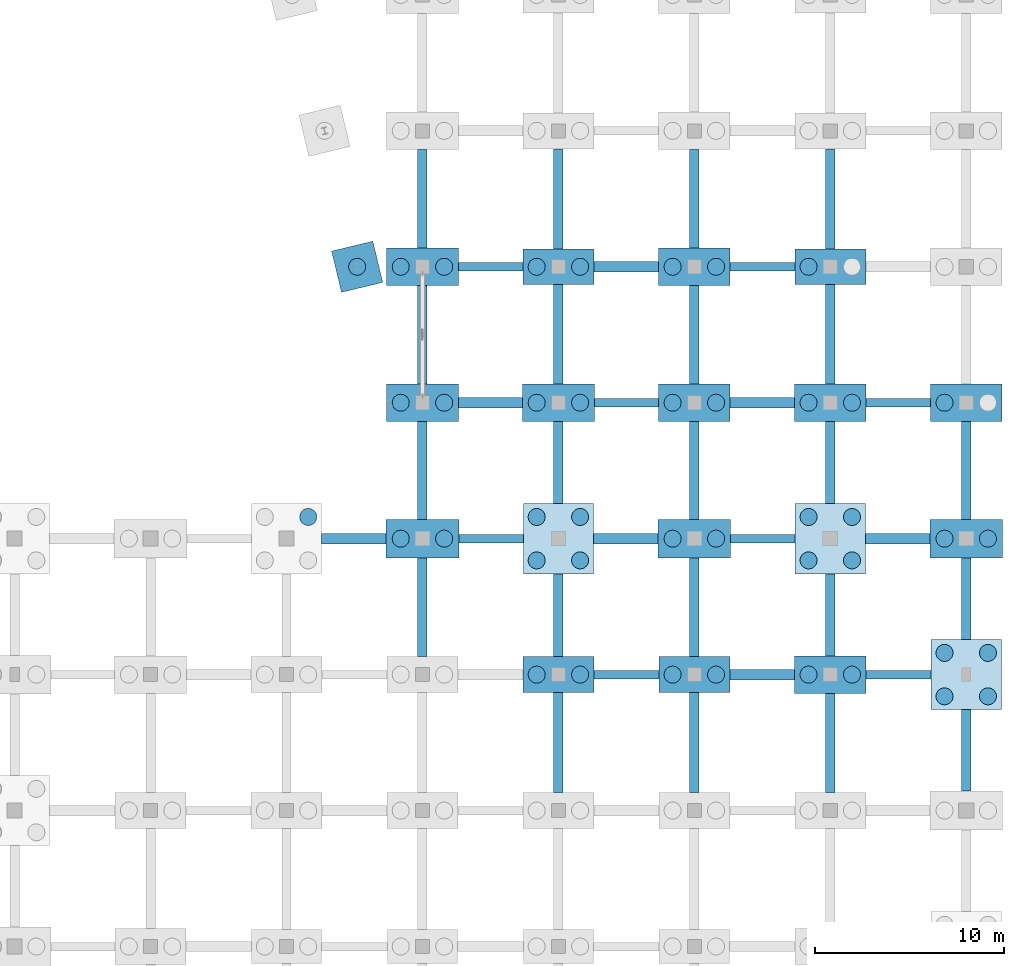
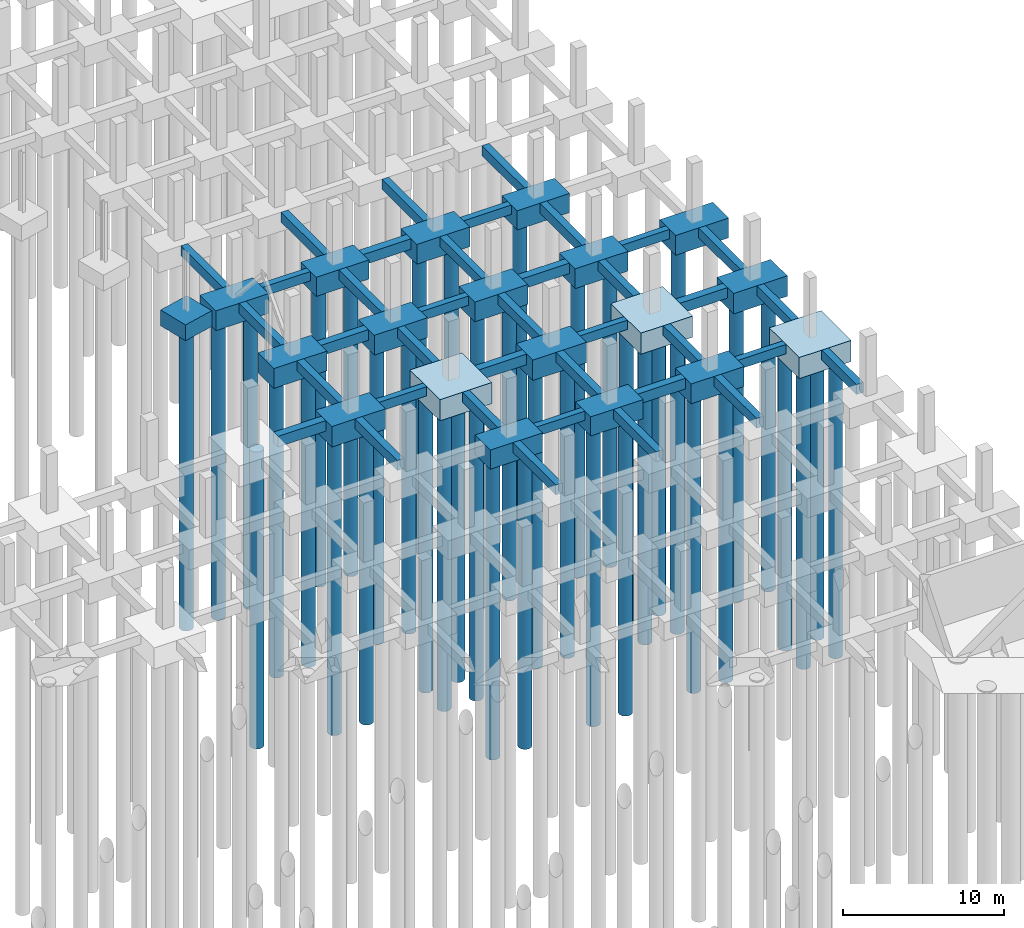
# One storey, part 12 of 36: 56 footings, 42 piles.
"""IFC4 building model written with IfcOpenShell, lengths in metres."""

from ifc_helpers import new_model, si_unit, direction, frame, origin, origin_2d, place, context, subcontext, project, spatial, rectangle, circle, extrude, material, material_profile, profile_set, type_object, element, save


model = new_model("IFC4")

# Units and contexts
model_context = context("Model", 3, precision=1e-05, world=origin(), true_north=direction((0.0, 1.0)))
body_context = subcontext(model_context, "Body", "Model", "MODEL_VIEW")
ifc_project = project(units=[si_unit("LENGTHUNIT", "METRE"), si_unit("AREAUNIT", "SQUARE_METRE"), si_unit("VOLUMEUNIT", "CUBIC_METRE"), si_unit("PLANEANGLEUNIT", "RADIAN"), si_unit("MASSUNIT", "GRAM", prefix="KILO")], contexts=[model_context])

# Site, building, storey
site_placement = place(None, origin())
site = spatial("IfcSite", under=ifc_project, at=site_placement, CompositionType="ELEMENT")
building_placement = place(site_placement, origin())
building = spatial("IfcBuilding", under=site, at=building_placement, Name="Kalmorath City Hall", CompositionType="ELEMENT")
storey_placement = place(building_placement, frame((0.0, 0.0, -4.5)))
storey = spatial("IfcBuildingStorey", under=building, at=storey_placement, Name="B1", CompositionType="ELEMENT", Elevation=-4.5)

# Piles
ifc_material_1 = material(Name="Concrete C40/50", Category="concrete")
ifc_material_profile_1 = material_profile(ifc_material_1, circle(Radius=0.449951171875, at=origin_2d()), Name="PILE-D900")
ifc_profile_set_1 = profile_set([ifc_material_profile_1], Name="Concrete C40/50")
pile_type = type_object("IfcPileType", Name="Bored concrete pile D900", PredefinedType="BORED", material=ifc_profile_set_1)
pile_1_placement = place(storey_placement, frame((130.75, 44.35009765625, -1.5), z_axis=(0.0, 0.0, -1.0), x_axis=(1.0, 0.0, 0.0)))
element("IfcPile", 1, at=pile_1_placement, inside=storey, type_object=pile_type, Name="Bored pile PL-900 19.7.4", PredefinedType="BORED", context=body_context, shape_type="SweptSolid", body=[
    extrude(circle(Radius=0.449951171875, at=origin_2d()), origin(), (0.0, 0.0, 1.0), 22.5),
])
for number, where, z_axis, x_axis, name in (
    (2, (135.64990234375, 43.199951171875, -1.449951171875), (0.0, 0.0, -1.0), (1.0, 0.0, 0.0), "Bored pile PL-900 20.7.1"),
    (3, (137.949951171875, 43.199951171875, -1.449951171875), (0.0, 0.0, -1.0), (1.0, 0.0, 0.0), "Bored pile PL-900 20.7.2"),
):
    element("IfcPile", number, at=place(storey_placement, frame(where, z_axis=z_axis, x_axis=x_axis)), inside=storey, type_object=pile_type, Name=name, PredefinedType="BORED", context=body_context, shape_type="SweptSolid", body=[
        extrude(circle(Radius=0.449951171875, at=origin_2d()), origin(), (0.0, 0.0, 1.0), 22.550048828125),
    ])
for number, where, z_axis, x_axis, name in (
    (4, (135.64990234375, 50.39990234375, -1.39990234375), (0.0, 0.0, -1.0), (1.0, 0.0, 0.0), "Bored pile PL-900 20.8.1"),
    (5, (137.949951171875, 50.39990234375, -1.39990234375), (0.0, 0.0, -1.0), (1.0, 0.0, 0.0), "Bored pile PL-900 20.8.2"),
    (6, (135.64990234375, 57.60009765625, -1.39990234375), (0.0, 0.0, -1.0), (1.0, 0.0, 0.0), "Bored pile PL-900 20.9.1"),
    (7, (137.949951171875, 57.60009765625, -1.39990234375), (0.0, 0.0, -1.0), (1.0, 0.0, 0.0), "Bored pile PL-900 20.9.2"),
):
    element("IfcPile", number, at=place(storey_placement, frame(where, z_axis=z_axis, x_axis=x_axis)), inside=storey, type_object=pile_type, Name=name, PredefinedType="BORED", context=body_context, shape_type="SweptSolid", body=[
        extrude(circle(Radius=0.449951171875, at=origin_2d()), origin(), (0.0, 0.0, 1.0), 22.60009765625),
    ])
for number, where, z_axis, x_axis, name in (
    (8, (142.85009765625, 36.0, -1.35009765625), (0.0, 0.0, -1.0), (1.0, 0.0, 0.0), "Bored pile PL-900 21.6.1"),
    (9, (145.14990234375, 36.0, -1.35009765625), (0.0, 0.0, -1.0), (1.0, 0.0, 0.0), "Bored pile PL-900 21.6.2"),
):
    element("IfcPile", number, at=place(storey_placement, frame(where, z_axis=z_axis, x_axis=x_axis)), inside=storey, type_object=pile_type, Name=name, PredefinedType="BORED", context=body_context, shape_type="SweptSolid", body=[
        extrude(circle(Radius=0.449951171875, at=origin_2d()), origin(), (0.0, 0.0, 1.0), 22.64990234375),
    ])
for number, where, z_axis, x_axis, name in (
    (10, (142.85009765625, 42.050048828125, -1.5), (0.0, 0.0, -1.0), (1.0, 0.0, 0.0), "Bored pile PL-900 21.7.1"),
    (11, (145.14990234375, 42.050048828125, -1.5), (0.0, 0.0, -1.0), (1.0, 0.0, 0.0), "Bored pile PL-900 21.7.2"),
    (12, (142.85009765625, 44.35009765625, -1.5), (0.0, 0.0, -1.0), (1.0, 0.0, 0.0), "Bored pile PL-900 21.7.3"),
    (13, (145.14990234375, 44.35009765625, -1.5), (0.0, 0.0, -1.0), (1.0, 0.0, 0.0), "Bored pile PL-900 21.7.4"),
):
    element("IfcPile", number, at=place(storey_placement, frame(where, z_axis=z_axis, x_axis=x_axis)), inside=storey, type_object=pile_type, Name=name, PredefinedType="BORED", context=body_context, shape_type="SweptSolid", body=[
        extrude(circle(Radius=0.449951171875, at=origin_2d()), origin(), (0.0, 0.0, 1.0), 22.5),
    ])
for number, where, z_axis, x_axis, name in (
    (14, (142.85009765625, 50.39990234375, -1.39990234375), (0.0, 0.0, -1.0), (1.0, 0.0, 0.0), "Bored pile PL-900 21.8.1"),
    (15, (145.14990234375, 50.39990234375, -1.39990234375), (0.0, 0.0, -1.0), (1.0, 0.0, 0.0), "Bored pile PL-900 21.8.2"),
):
    element("IfcPile", number, at=place(storey_placement, frame(where, z_axis=z_axis, x_axis=x_axis)), inside=storey, type_object=pile_type, Name=name, PredefinedType="BORED", context=body_context, shape_type="SweptSolid", body=[
        extrude(circle(Radius=0.449951171875, at=origin_2d()), origin(), (0.0, 0.0, 1.0), 22.60009765625),
    ])
for number, where, z_axis, x_axis, name in (
    (16, (142.85009765625, 57.60009765625, -1.35009765625), (0.0, 0.0, -1.0), (1.0, 0.0, 0.0), "Bored pile PL-900 21.9.1"),
    (17, (145.14990234375, 57.60009765625, -1.35009765625), (0.0, 0.0, -1.0), (1.0, 0.0, 0.0), "Bored pile PL-900 21.9.2"),
    (18, (150.050048828125, 36.0, -1.35009765625), (0.0, 0.0, -1.0), (1.0, 0.0, 0.0), "Bored pile PL-900 22.6.1"),
    (19, (152.35009765625, 36.0, -1.35009765625), (0.0, 0.0, -1.0), (1.0, 0.0, 0.0), "Bored pile PL-900 22.6.2"),
):
    element("IfcPile", number, at=place(storey_placement, frame(where, z_axis=z_axis, x_axis=x_axis)), inside=storey, type_object=pile_type, Name=name, PredefinedType="BORED", context=body_context, shape_type="SweptSolid", body=[
        extrude(circle(Radius=0.449951171875, at=origin_2d()), origin(), (0.0, 0.0, 1.0), 22.64990234375),
    ])
for number, where, z_axis, x_axis, name in (
    (20, (150.050048828125, 43.199951171875, -1.449951171875), (0.0, 0.0, -1.0), (1.0, 0.0, 0.0), "Bored pile PL-900 22.7.1"),
    (21, (152.35009765625, 43.199951171875, -1.449951171875), (0.0, 0.0, -1.0), (1.0, 0.0, 0.0), "Bored pile PL-900 22.7.2"),
):
    element("IfcPile", number, at=place(storey_placement, frame(where, z_axis=z_axis, x_axis=x_axis)), inside=storey, type_object=pile_type, Name=name, PredefinedType="BORED", context=body_context, shape_type="SweptSolid", body=[
        extrude(circle(Radius=0.449951171875, at=origin_2d()), origin(), (0.0, 0.0, 1.0), 22.550048828125),
    ])
for number, where, z_axis, x_axis, name in (
    (22, (150.050048828125, 50.39990234375, -1.39990234375), (0.0, 0.0, -1.0), (1.0, 0.0, 0.0), "Bored pile PL-900 22.8.1"),
    (23, (152.35009765625, 50.39990234375, -1.39990234375), (0.0, 0.0, -1.0), (1.0, 0.0, 0.0), "Bored pile PL-900 22.8.2"),
    (24, (150.050048828125, 57.60009765625, -1.39990234375), (0.0, 0.0, -1.0), (1.0, 0.0, 0.0), "Bored pile PL-900 22.9.1"),
    (25, (152.35009765625, 57.60009765625, -1.39990234375), (0.0, 0.0, -1.0), (1.0, 0.0, 0.0), "Bored pile PL-900 22.9.2"),
    (26, (157.25, 36.0, -1.39990234375), (0.0, 0.0, -1.0), (1.0, 0.0, 0.0), "Bored pile PL-900 23.6.1"),
    (27, (159.550048828125, 36.0, -1.39990234375), (0.0, 0.0, -1.0), (1.0, 0.0, 0.0), "Bored pile PL-900 23.6.2"),
):
    element("IfcPile", number, at=place(storey_placement, frame(where, z_axis=z_axis, x_axis=x_axis)), inside=storey, type_object=pile_type, Name=name, PredefinedType="BORED", context=body_context, shape_type="SweptSolid", body=[
        extrude(circle(Radius=0.449951171875, at=origin_2d()), origin(), (0.0, 0.0, 1.0), 22.60009765625),
    ])
for number, where, z_axis, x_axis, name in (
    (28, (157.25, 42.050048828125, -1.5), (0.0, 0.0, -1.0), (1.0, 0.0, 0.0), "Bored pile PL-900 23.7.1"),
    (29, (159.550048828125, 42.050048828125, -1.5), (0.0, 0.0, -1.0), (1.0, 0.0, 0.0), "Bored pile PL-900 23.7.2"),
    (30, (157.25, 44.35009765625, -1.5), (0.0, 0.0, -1.0), (1.0, 0.0, 0.0), "Bored pile PL-900 23.7.3"),
    (31, (159.550048828125, 44.35009765625, -1.5), (0.0, 0.0, -1.0), (1.0, 0.0, 0.0), "Bored pile PL-900 23.7.4"),
):
    element("IfcPile", number, at=place(storey_placement, frame(where, z_axis=z_axis, x_axis=x_axis)), inside=storey, type_object=pile_type, Name=name, PredefinedType="BORED", context=body_context, shape_type="SweptSolid", body=[
        extrude(circle(Radius=0.449951171875, at=origin_2d()), origin(), (0.0, 0.0, 1.0), 22.5),
    ])
for number, where, z_axis, x_axis, name in (
    (32, (157.25, 50.39990234375, -1.39990234375), (0.0, 0.0, -1.0), (1.0, 0.0, 0.0), "Bored pile PL-900 23.8.1"),
    (33, (159.550048828125, 50.39990234375, -1.39990234375), (0.0, 0.0, -1.0), (1.0, 0.0, 0.0), "Bored pile PL-900 23.8.2"),
):
    element("IfcPile", number, at=place(storey_placement, frame(where, z_axis=z_axis, x_axis=x_axis)), inside=storey, type_object=pile_type, Name=name, PredefinedType="BORED", context=body_context, shape_type="SweptSolid", body=[
        extrude(circle(Radius=0.449951171875, at=origin_2d()), origin(), (0.0, 0.0, 1.0), 22.60009765625),
    ])
pile_2_placement = place(storey_placement, frame((157.25, 57.60009765625, -1.35009765625), z_axis=(0.0, 0.0, -1.0), x_axis=(1.0, 0.0, 0.0)))
element("IfcPile", 34, at=pile_2_placement, inside=storey, type_object=pile_type, Name="Bored pile PL-900 23.9.1", PredefinedType="BORED", context=body_context, shape_type="SweptSolid", body=[
    extrude(circle(Radius=0.449951171875, at=origin_2d()), origin(), (0.0, 0.0, 1.0), 22.64990234375),
])
for number, where, z_axis, x_axis, name in (
    (35, (164.449951171875, 34.85009765625, -1.5), (0.0, 0.0, -1.0), (1.0, 0.0, 0.0), "Bored pile PL-900 24.6.1"),
    (36, (166.75, 34.85009765625, -1.5), (0.0, 0.0, -1.0), (1.0, 0.0, 0.0), "Bored pile PL-900 24.6.2"),
    (37, (164.449951171875, 37.14990234375, -1.5), (0.0, 0.0, -1.0), (1.0, 0.0, 0.0), "Bored pile PL-900 24.6.3"),
    (38, (166.75, 37.14990234375, -1.5), (0.0, 0.0, -1.0), (1.0, 0.0, 0.0), "Bored pile PL-900 24.6.4"),
):
    element("IfcPile", number, at=place(storey_placement, frame(where, z_axis=z_axis, x_axis=x_axis)), inside=storey, type_object=pile_type, Name=name, PredefinedType="BORED", context=body_context, shape_type="SweptSolid", body=[
        extrude(circle(Radius=0.449951171875, at=origin_2d()), origin(), (0.0, 0.0, 1.0), 22.5),
    ])
for number, where, z_axis, x_axis, name in (
    (39, (164.449951171875, 43.199951171875, -1.449951171875), (0.0, 0.0, -1.0), (1.0, 0.0, 0.0), "Bored pile PL-900 24.7.1"),
    (40, (166.75, 43.199951171875, -1.449951171875), (0.0, 0.0, -1.0), (1.0, 0.0, 0.0), "Bored pile PL-900 24.7.2"),
):
    element("IfcPile", number, at=place(storey_placement, frame(where, z_axis=z_axis, x_axis=x_axis)), inside=storey, type_object=pile_type, Name=name, PredefinedType="BORED", context=body_context, shape_type="SweptSolid", body=[
        extrude(circle(Radius=0.449951171875, at=origin_2d()), origin(), (0.0, 0.0, 1.0), 22.550048828125),
    ])
pile_3_placement = place(storey_placement, frame((164.449951171875, 50.39990234375, -1.39990234375), z_axis=(0.0, 0.0, -1.0), x_axis=(1.0, 0.0, 0.0)))
element("IfcPile", 41, at=pile_3_placement, inside=storey, type_object=pile_type, Name="Bored pile PL-900 24.8.1", PredefinedType="BORED", context=body_context, shape_type="SweptSolid", body=[
    extrude(circle(Radius=0.449951171875, at=origin_2d()), origin(), (0.0, 0.0, 1.0), 22.60009765625),
])
pile_4_placement = place(storey_placement, frame((133.343017578125, 57.60009765625, -1.10009765625), z_axis=(0.0, 0.0, -1.0), x_axis=(1.0, 0.0, 0.0)))
element("IfcPile", 42, at=pile_4_placement, inside=storey, type_object=pile_type, Name="Library splay bored pile PL-900-3", PredefinedType="BORED", context=body_context, shape_type="SweptSolid", body=[
    extrude(circle(Radius=0.449951171875, at=origin_2d()), origin(), (0.0, 0.0, 1.0), 22.89990234375),
])

# Footings
ifc_material_2 = material(Name="Concrete C40/50", Category="concrete")
ifc_material_profile_2 = material_profile(ifc_material_2, rectangle(XDim=0.449951171875, YDim=0.699951171875, at=origin_2d()), Name="RC-BM-450X700")
ifc_profile_set_2 = profile_set([ifc_material_profile_2], Name="Concrete C40/50")
footing_type_1 = type_object("IfcFootingType", Name="Concrete ground tie beam 450x700", PredefinedType="FOOTING_BEAM", material=ifc_profile_set_2)
footing_1_placement = place(storey_placement, frame((138.72509765625, 43.199951171875, -0.35009765625), z_axis=(1.0, 0.0, 0.0), x_axis=(0.0, 1.0, 0.0)))
element("IfcFooting", 43, at=footing_1_placement, inside=storey, type_object=footing_type_1, Name="Ground tie beam GB4 X20-7", PredefinedType="FOOTING_BEAM", context=body_context, shape_type="SweptSolid", body=[
    extrude(rectangle(XDim=0.449951171875, YDim=0.699951171875, at=origin_2d()), origin(), (0.0, 0.0, 1.0), 3.414794921875),
])
footing_2_placement = place(storey_placement, frame((138.699951171875, 57.60009765625, -0.35009765625), z_axis=(1.0, 0.0, 0.0), x_axis=(0.0, 1.0, 0.0)))
element("IfcFooting", 44, at=footing_2_placement, inside=storey, type_object=footing_type_1, Name="Ground tie beam GB4 X20-9", PredefinedType="FOOTING_BEAM", context=body_context, shape_type="SweptSolid", body=[
    extrude(rectangle(XDim=0.449951171875, YDim=0.699951171875, at=origin_2d()), origin(), (0.0, 0.0, 1.0), 3.420166015625),
])
footing_3_placement = place(storey_placement, frame((145.8798828125, 36.0, -0.35009765625), z_axis=(1.0, 0.0, 0.0), x_axis=(0.0, 1.0, 0.0)))
element("IfcFooting", 45, at=footing_3_placement, inside=storey, type_object=footing_type_1, Name="Ground tie beam GB4 X21-6", PredefinedType="FOOTING_BEAM", context=body_context, shape_type="SweptSolid", body=[
    extrude(rectangle(XDim=0.449951171875, YDim=0.699951171875, at=origin_2d()), origin(), (0.0, 0.0, 1.0), 3.440185546875),
])
footing_4_placement = place(storey_placement, frame((145.89990234375, 50.39990234375, -0.35009765625), z_axis=(1.0, 0.0, 0.0), x_axis=(0.0, 1.0, 0.0)))
element("IfcFooting", 46, at=footing_4_placement, inside=storey, type_object=footing_type_1, Name="Ground tie beam GB4 X21-8", PredefinedType="FOOTING_BEAM", context=body_context, shape_type="SweptSolid", body=[
    extrude(rectangle(XDim=0.449951171875, YDim=0.699951171875, at=origin_2d()), origin(), (0.0, 0.0, 1.0), 3.400146484375),
])
footing_5_placement = place(storey_placement, frame((153.125, 43.199951171875, -0.35009765625), z_axis=(1.0, 0.0, 0.0), x_axis=(0.0, 1.0, 0.0)))
element("IfcFooting", 47, at=footing_5_placement, inside=storey, type_object=footing_type_1, Name="Ground tie beam GB4 X22-7", PredefinedType="FOOTING_BEAM", context=body_context, shape_type="SweptSolid", body=[
    extrude(rectangle(XDim=0.449951171875, YDim=0.699951171875, at=origin_2d()), origin(), (0.0, 0.0, 1.0), 3.4150390625),
])
footing_6_placement = place(storey_placement, frame((153.10009765625, 57.60009765625, -0.35009765625), z_axis=(1.0, 0.0, 0.0), x_axis=(0.0, 1.0, 0.0)))
element("IfcFooting", 48, at=footing_6_placement, inside=storey, type_object=footing_type_1, Name="Ground tie beam GB4 X22-9", PredefinedType="FOOTING_BEAM", context=body_context, shape_type="SweptSolid", body=[
    extrude(rectangle(XDim=0.449951171875, YDim=0.699951171875, at=origin_2d()), origin(), (0.0, 0.0, 1.0), 3.419921875),
])
footing_7_placement = place(storey_placement, frame((160.300048828125, 36.0, -0.35009765625), z_axis=(1.0, 0.0, 0.0), x_axis=(0.0, 1.0, 0.0)))
element("IfcFooting", 49, at=footing_7_placement, inside=storey, type_object=footing_type_1, Name="Ground tie beam GB4 X23-6", PredefinedType="FOOTING_BEAM", context=body_context, shape_type="SweptSolid", body=[
    extrude(rectangle(XDim=0.449951171875, YDim=0.699951171875, at=origin_2d()), origin(), (0.0, 0.0, 1.0), 3.43994140625),
])
footing_8_placement = place(storey_placement, frame((160.300048828125, 50.39990234375, -0.35009765625), z_axis=(1.0, 0.0, 0.0), x_axis=(0.0, 1.0, 0.0)))
element("IfcFooting", 50, at=footing_8_placement, inside=storey, type_object=footing_type_1, Name="Ground tie beam GB4 X23-8", PredefinedType="FOOTING_BEAM", context=body_context, shape_type="SweptSolid", body=[
    extrude(rectangle(XDim=0.449951171875, YDim=0.699951171875, at=origin_2d()), origin(), (0.0, 0.0, 1.0), 3.39990234375),
])
ifc_material_3 = material(Name="Concrete C40/50", Category="concrete")
ifc_material_profile_3 = material_profile(ifc_material_3, rectangle(XDim=0.5, YDim=0.75, at=origin_2d()), Name="RC-BM-500X750")
ifc_profile_set_3 = profile_set([ifc_material_profile_3], Name="Concrete C40/50")
footing_type_2 = type_object("IfcFootingType", Name="Concrete ground tie beam 500x750", PredefinedType="FOOTING_BEAM", material=ifc_profile_set_3)
footing_9_placement = place(storey_placement, frame((136.800048828125, 36.949951171875, -0.375), z_axis=(0.0, 1.0, 0.0), x_axis=(-1.0, 0.0, 0.0)))
element("IfcFooting", 51, at=footing_9_placement, inside=storey, type_object=footing_type_2, Name="Ground tie beam GB3 Y20-6", PredefinedType="FOOTING_BEAM", context=body_context, shape_type="SweptSolid", body=[
    extrude(rectangle(XDim=0.5, YDim=0.75, at=origin_2d()), origin(), (0.0, 0.0, 1.0), 5.22509765625),
])
footing_10_placement = place(storey_placement, frame((136.800048828125, 44.22509765625, -0.375), z_axis=(0.0, 1.0, 0.0), x_axis=(-1.0, 0.0, 0.0)))
element("IfcFooting", 52, at=footing_10_placement, inside=storey, type_object=footing_type_2, Name="Ground tie beam GB3 Y20-7", PredefinedType="FOOTING_BEAM", context=body_context, shape_type="SweptSolid", body=[
    extrude(rectangle(XDim=0.5, YDim=0.75, at=origin_2d()), origin(), (0.0, 0.0, 1.0), 5.184814453125),
])
footing_11_placement = place(storey_placement, frame((136.800048828125, 51.389892578125, -0.375), z_axis=(0.0, 1.0, 0.0), x_axis=(-1.0, 0.0, 0.0)))
element("IfcFooting", 53, at=footing_11_placement, inside=storey, type_object=footing_type_2, Name="Ground tie beam GB3 Y20-8", PredefinedType="FOOTING_BEAM", context=body_context, shape_type="SweptSolid", body=[
    extrude(rectangle(XDim=0.5, YDim=0.75, at=origin_2d()), origin(), (0.0, 0.0, 1.0), 5.22021484375),
])
footing_12_placement = place(storey_placement, frame((136.800048828125, 58.590087890625, -0.375), z_axis=(0.0, 1.0, 0.0), x_axis=(-1.0, 0.0, 0.0)))
element("IfcFooting", 54, at=footing_12_placement, inside=storey, type_object=footing_type_2, Name="Ground tie beam GB3 Y20-9", PredefinedType="FOOTING_BEAM", context=body_context, shape_type="SweptSolid", body=[
    extrude(rectangle(XDim=0.5, YDim=0.75, at=origin_2d()), origin(), (0.0, 0.0, 1.0), 5.219970703125),
])
footing_13_placement = place(storey_placement, frame((144.0, 29.75, -0.375), z_axis=(0.0, 1.0, 0.0), x_axis=(-1.0, 0.0, 0.0)))
element("IfcFooting", 55, at=footing_13_placement, inside=storey, type_object=footing_type_2, Name="Ground tie beam GB3 Y21-5", PredefinedType="FOOTING_BEAM", context=body_context, shape_type="SweptSolid", body=[
    extrude(rectangle(XDim=0.5, YDim=0.75, at=origin_2d()), origin(), (0.0, 0.0, 1.0), 5.300048828125),
])
footing_14_placement = place(storey_placement, frame((144.0, 36.949951171875, -0.375), z_axis=(0.0, 1.0, 0.0), x_axis=(-1.0, 0.0, 0.0)))
element("IfcFooting", 56, at=footing_14_placement, inside=storey, type_object=footing_type_2, Name="Ground tie beam GB3 Y21-6", PredefinedType="FOOTING_BEAM", context=body_context, shape_type="SweptSolid", body=[
    extrude(rectangle(XDim=0.5, YDim=0.75, at=origin_2d()), origin(), (0.0, 0.0, 1.0), 4.39013671875),
])
footing_15_placement = place(storey_placement, frame((144.0, 45.06005859375, -0.375), z_axis=(0.0, 1.0, 0.0), x_axis=(-1.0, 0.0, 0.0)))
element("IfcFooting", 57, at=footing_15_placement, inside=storey, type_object=footing_type_2, Name="Ground tie beam GB3 Y21-7", PredefinedType="FOOTING_BEAM", context=body_context, shape_type="SweptSolid", body=[
    extrude(rectangle(XDim=0.5, YDim=0.75, at=origin_2d()), origin(), (0.0, 0.0, 1.0), 4.349853515625),
])
footing_16_placement = place(storey_placement, frame((144.0, 51.389892578125, -0.375), z_axis=(0.0, 1.0, 0.0), x_axis=(-1.0, 0.0, 0.0)))
element("IfcFooting", 58, at=footing_16_placement, inside=storey, type_object=footing_type_2, Name="Ground tie beam GB3 Y21-8", PredefinedType="FOOTING_BEAM", context=body_context, shape_type="SweptSolid", body=[
    extrude(rectangle(XDim=0.5, YDim=0.75, at=origin_2d()), origin(), (0.0, 0.0, 1.0), 5.260009765625),
])
for number, where, z_axis, x_axis, name in (
    (59, (144.0, 58.550048828125, -0.375), (0.0, 1.0, 0.0), (-1.0, 0.0, 0.0), "Ground tie beam GB3 Y21-9"),
    (60, (151.199951171875, 29.75, -0.375), (0.0, 1.0, 0.0), (-1.0, 0.0, 0.0), "Ground tie beam GB3 Y22-5"),
):
    element("IfcFooting", number, at=place(storey_placement, frame(where, z_axis=z_axis, x_axis=x_axis)), inside=storey, type_object=footing_type_2, Name=name, PredefinedType="FOOTING_BEAM", context=body_context, shape_type="SweptSolid", body=[
        extrude(rectangle(XDim=0.5, YDim=0.75, at=origin_2d()), origin(), (0.0, 0.0, 1.0), 5.300048828125),
    ])
footing_17_placement = place(storey_placement, frame((151.199951171875, 36.949951171875, -0.375), z_axis=(0.0, 1.0, 0.0), x_axis=(-1.0, 0.0, 0.0)))
element("IfcFooting", 61, at=footing_17_placement, inside=storey, type_object=footing_type_2, Name="Ground tie beam GB3 Y22-6", PredefinedType="FOOTING_BEAM", context=body_context, shape_type="SweptSolid", body=[
    extrude(rectangle(XDim=0.5, YDim=0.75, at=origin_2d()), origin(), (0.0, 0.0, 1.0), 5.22509765625),
])
footing_18_placement = place(storey_placement, frame((151.199951171875, 44.22509765625, -0.375), z_axis=(0.0, 1.0, 0.0), x_axis=(-1.0, 0.0, 0.0)))
element("IfcFooting", 62, at=footing_18_placement, inside=storey, type_object=footing_type_2, Name="Ground tie beam GB3 Y22-7", PredefinedType="FOOTING_BEAM", context=body_context, shape_type="SweptSolid", body=[
    extrude(rectangle(XDim=0.5, YDim=0.75, at=origin_2d()), origin(), (0.0, 0.0, 1.0), 5.184814453125),
])
footing_19_placement = place(storey_placement, frame((151.199951171875, 51.389892578125, -0.375), z_axis=(0.0, 1.0, 0.0), x_axis=(-1.0, 0.0, 0.0)))
element("IfcFooting", 63, at=footing_19_placement, inside=storey, type_object=footing_type_2, Name="Ground tie beam GB3 Y22-8", PredefinedType="FOOTING_BEAM", context=body_context, shape_type="SweptSolid", body=[
    extrude(rectangle(XDim=0.5, YDim=0.75, at=origin_2d()), origin(), (0.0, 0.0, 1.0), 5.22021484375),
])
footing_20_placement = place(storey_placement, frame((151.199951171875, 58.590087890625, -0.375), z_axis=(0.0, 1.0, 0.0), x_axis=(-1.0, 0.0, 0.0)))
element("IfcFooting", 64, at=footing_20_placement, inside=storey, type_object=footing_type_2, Name="Ground tie beam GB3 Y22-9", PredefinedType="FOOTING_BEAM", context=body_context, shape_type="SweptSolid", body=[
    extrude(rectangle(XDim=0.5, YDim=0.75, at=origin_2d()), origin(), (0.0, 0.0, 1.0), 5.219970703125),
])
footing_21_placement = place(storey_placement, frame((158.39990234375, 29.75, -0.375), z_axis=(0.0, 1.0, 0.0), x_axis=(-1.0, 0.0, 0.0)))
element("IfcFooting", 65, at=footing_21_placement, inside=storey, type_object=footing_type_2, Name="Ground tie beam GB3 Y23-5", PredefinedType="FOOTING_BEAM", context=body_context, shape_type="SweptSolid", body=[
    extrude(rectangle(XDim=0.5, YDim=0.75, at=origin_2d()), origin(), (0.0, 0.0, 1.0), 5.260009765625),
])
footing_22_placement = place(storey_placement, frame((158.39990234375, 36.989990234375, -0.375), z_axis=(0.0, 1.0, 0.0), x_axis=(-1.0, 0.0, 0.0)))
element("IfcFooting", 66, at=footing_22_placement, inside=storey, type_object=footing_type_2, Name="Ground tie beam GB3 Y23-6", PredefinedType="FOOTING_BEAM", context=body_context, shape_type="SweptSolid", body=[
    extrude(rectangle(XDim=0.5, YDim=0.75, at=origin_2d()), origin(), (0.0, 0.0, 1.0), 4.35009765625),
])
footing_23_placement = place(storey_placement, frame((158.39990234375, 45.06005859375, -0.375), z_axis=(0.0, 1.0, 0.0), x_axis=(-1.0, 0.0, 0.0)))
element("IfcFooting", 67, at=footing_23_placement, inside=storey, type_object=footing_type_2, Name="Ground tie beam GB3 Y23-7", PredefinedType="FOOTING_BEAM", context=body_context, shape_type="SweptSolid", body=[
    extrude(rectangle(XDim=0.5, YDim=0.75, at=origin_2d()), origin(), (0.0, 0.0, 1.0), 4.349853515625),
])
footing_24_placement = place(storey_placement, frame((158.39990234375, 51.389892578125, -0.375), z_axis=(0.0, 1.0, 0.0), x_axis=(-1.0, 0.0, 0.0)))
element("IfcFooting", 68, at=footing_24_placement, inside=storey, type_object=footing_type_2, Name="Ground tie beam GB3 Y23-8", PredefinedType="FOOTING_BEAM", context=body_context, shape_type="SweptSolid", body=[
    extrude(rectangle(XDim=0.5, YDim=0.75, at=origin_2d()), origin(), (0.0, 0.0, 1.0), 5.260009765625),
])
footing_25_placement = place(storey_placement, frame((158.39990234375, 58.550048828125, -0.375), z_axis=(0.0, 1.0, 0.0), x_axis=(-1.0, 0.0, 0.0)))
element("IfcFooting", 69, at=footing_25_placement, inside=storey, type_object=footing_type_2, Name="Ground tie beam GB3 Y23-9", PredefinedType="FOOTING_BEAM", context=body_context, shape_type="SweptSolid", body=[
    extrude(rectangle(XDim=0.5, YDim=0.75, at=origin_2d()), origin(), (0.0, 0.0, 1.0), 5.300048828125),
])
for number, where, z_axis, x_axis, name in (
    (70, (165.60009765625, 29.824951171875, -0.375), (0.0, 1.0, 0.0), (-1.0, 0.0, 0.0), "Ground tie beam GB3 Y24-5"),
    (71, (165.60009765625, 37.860107421875, -0.375), (0.0, 1.0, 0.0), (-1.0, 0.0, 0.0), "Ground tie beam GB3 Y24-6"),
):
    element("IfcFooting", number, at=place(storey_placement, frame(where, z_axis=z_axis, x_axis=x_axis)), inside=storey, type_object=footing_type_2, Name=name, PredefinedType="FOOTING_BEAM", context=body_context, shape_type="SweptSolid", body=[
        extrude(rectangle(XDim=0.5, YDim=0.75, at=origin_2d()), origin(), (0.0, 0.0, 1.0), 4.31494140625),
    ])
footing_26_placement = place(storey_placement, frame((165.60009765625, 44.22509765625, -0.375), z_axis=(0.0, 1.0, 0.0), x_axis=(-1.0, 0.0, 0.0)))
element("IfcFooting", 72, at=footing_26_placement, inside=storey, type_object=footing_type_2, Name="Ground tie beam GB3 Y24-7", PredefinedType="FOOTING_BEAM", context=body_context, shape_type="SweptSolid", body=[
    extrude(rectangle(XDim=0.5, YDim=0.75, at=origin_2d()), origin(), (0.0, 0.0, 1.0), 5.184814453125),
])
ifc_material_4 = material(Name="Concrete C40/50", Category="concrete")
ifc_material_profile_4 = material_profile(ifc_material_4, rectangle(XDim=0.550048828125, YDim=0.800048828125, at=origin_2d()), Name="RC-BM-550X800")
ifc_profile_set_4 = profile_set([ifc_material_profile_4], Name="Concrete C40/50")
footing_type_3 = type_object("IfcFootingType", Name="Concrete ground tie beam 550x800", PredefinedType="FOOTING_BEAM", material=ifc_profile_set_4)
footing_27_placement = place(storey_placement, frame((131.4599609375, 43.199951171875, -0.39990234375), z_axis=(1.0, 0.0, 0.0), x_axis=(0.0, 1.0, 0.0)))
element("IfcFooting", 73, at=footing_27_placement, inside=storey, type_object=footing_type_3, Name="Ground tie beam GB2 X19-7", PredefinedType="FOOTING_BEAM", context=body_context, shape_type="SweptSolid", body=[
    extrude(rectangle(XDim=0.550048828125, YDim=0.800048828125, at=origin_2d()), origin(), (0.0, 0.0, 1.0), 3.4150390625),
])
footing_28_placement = place(storey_placement, frame((138.699951171875, 50.39990234375, -0.39990234375), z_axis=(1.0, 0.0, 0.0), x_axis=(0.0, 1.0, 0.0)))
element("IfcFooting", 74, at=footing_28_placement, inside=storey, type_object=footing_type_3, Name="Ground tie beam GB2 X20-8", PredefinedType="FOOTING_BEAM", context=body_context, shape_type="SweptSolid", body=[
    extrude(rectangle(XDim=0.550048828125, YDim=0.800048828125, at=origin_2d()), origin(), (0.0, 0.0, 1.0), 3.400146484375),
])
footing_29_placement = place(storey_placement, frame((145.860107421875, 43.199951171875, -0.39990234375), z_axis=(1.0, 0.0, 0.0), x_axis=(0.0, 1.0, 0.0)))
element("IfcFooting", 75, at=footing_29_placement, inside=storey, type_object=footing_type_3, Name="Ground tie beam GB2 X21-7", PredefinedType="FOOTING_BEAM", context=body_context, shape_type="SweptSolid", body=[
    extrude(rectangle(XDim=0.550048828125, YDim=0.800048828125, at=origin_2d()), origin(), (0.0, 0.0, 1.0), 3.414794921875),
])
footing_30_placement = place(storey_placement, frame((145.8798828125, 57.60009765625, -0.39990234375), z_axis=(1.0, 0.0, 0.0), x_axis=(0.0, 1.0, 0.0)))
element("IfcFooting", 76, at=footing_30_placement, inside=storey, type_object=footing_type_3, Name="Ground tie beam GB2 X21-9", PredefinedType="FOOTING_BEAM", context=body_context, shape_type="SweptSolid", body=[
    extrude(rectangle(XDim=0.550048828125, YDim=0.800048828125, at=origin_2d()), origin(), (0.0, 0.0, 1.0), 3.420166015625),
])
footing_31_placement = place(storey_placement, frame((153.080078125, 36.0, -0.39990234375), z_axis=(1.0, 0.0, 0.0), x_axis=(0.0, 1.0, 0.0)))
element("IfcFooting", 77, at=footing_31_placement, inside=storey, type_object=footing_type_3, Name="Ground tie beam GB2 X22-6", PredefinedType="FOOTING_BEAM", context=body_context, shape_type="SweptSolid", body=[
    extrude(rectangle(XDim=0.550048828125, YDim=0.800048828125, at=origin_2d()), origin(), (0.0, 0.0, 1.0), 3.419921875),
])
footing_32_placement = place(storey_placement, frame((153.10009765625, 50.39990234375, -0.39990234375), z_axis=(1.0, 0.0, 0.0), x_axis=(0.0, 1.0, 0.0)))
element("IfcFooting", 78, at=footing_32_placement, inside=storey, type_object=footing_type_3, Name="Ground tie beam GB2 X22-8", PredefinedType="FOOTING_BEAM", context=body_context, shape_type="SweptSolid", body=[
    extrude(rectangle(XDim=0.550048828125, YDim=0.800048828125, at=origin_2d()), origin(), (0.0, 0.0, 1.0), 3.39990234375),
])
footing_33_placement = place(storey_placement, frame((160.260009765625, 43.199951171875, -0.39990234375), z_axis=(1.0, 0.0, 0.0), x_axis=(0.0, 1.0, 0.0)))
element("IfcFooting", 79, at=footing_33_placement, inside=storey, type_object=footing_type_3, Name="Ground tie beam GB2 X23-7", PredefinedType="FOOTING_BEAM", context=body_context, shape_type="SweptSolid", body=[
    extrude(rectangle(XDim=0.550048828125, YDim=0.800048828125, at=origin_2d()), origin(), (0.0, 0.0, 1.0), 3.4150390625),
])
ifc_material_5 = material(Name="Concrete C40/50", Category="concrete")
footing_type_4 = type_object("IfcFootingType", Name="Four-pile concrete cap 3720x3720x1600", PredefinedType="PILE_CAP", material=ifc_material_5)
for number, where, z_axis, x_axis, name in (
    (80, (144.0, 43.199951171875, -1.60009765625), (0.0, 0.0, 1.0), (1.0, 0.0, 0.0), "Footing PC3 (21/7)"),
    (81, (158.39990234375, 43.199951171875, -1.60009765625), (0.0, 0.0, 1.0), (1.0, 0.0, 0.0), "Footing PC3 (23/7)"),
    (82, (165.60009765625, 36.0, -1.60009765625), (0.0, 0.0, 1.0), (1.0, 0.0, 0.0), "Footing PC3 (24/6)"),
):
    element("IfcFooting", number, at=place(storey_placement, frame(where, z_axis=z_axis, x_axis=x_axis)), inside=storey, type_object=footing_type_4, Name=name, PredefinedType="PILE_CAP", context=body_context, shape_type="SweptSolid", body=[
        extrude(rectangle(XDim=3.719970703125, YDim=3.719970703125, at=origin_2d()), origin(), (0.0, 0.0, 1.0), 1.60009765625),
    ])
ifc_material_6 = material(Name="Concrete C40/50", Category="concrete")
footing_type_5 = type_object("IfcFootingType", Name="Reinforced concrete pad footing 2250x2250x1200", PredefinedType="PAD_FOOTING", material=ifc_material_6)
footing_34_placement = place(storey_placement, frame((133.343017578125, 57.60009765625, -1.2001953125), z_axis=(0.0, 0.0, 1.0), x_axis=(0.972369920398, 0.233445363856, 0.0)))
element("IfcFooting", 83, at=footing_34_placement, inside=storey, type_object=footing_type_5, Name="Library splay pad footing PF2-3", PredefinedType="PAD_FOOTING", context=body_context, shape_type="SweptSolid", body=[
    extrude(rectangle(XDim=2.25, YDim=2.25, at=origin_2d()), origin(), (0.0, 0.0, 1.0), 1.199951171875),
])
ifc_material_7 = material(Name="Concrete C40/50", Category="concrete")
footing_type_6 = type_object("IfcFootingType", Name="Two-pile concrete cap 3760x1900x1450", PredefinedType="PILE_CAP", material=ifc_material_7)
for number, where, z_axis, x_axis, name in (
    (84, (144.0, 36.0, -1.4501953125), (0.0, 0.0, 1.0), (1.0, 0.0, 0.0), "Footing PC8 (21/6)"),
    (85, (144.0, 57.60009765625, -1.4501953125), (0.0, 0.0, 1.0), (1.0, 0.0, 0.0), "Footing PC8 (21/9)"),
    (86, (151.199951171875, 36.0, -1.4501953125), (0.0, 0.0, 1.0), (1.0, 0.0, 0.0), "Footing PC8 (22/6)"),
    (87, (158.39990234375, 57.60009765625, -1.4501953125), (0.0, 0.0, 1.0), (1.0, 0.0, 0.0), "Footing PC8 (23/9)"),
):
    element("IfcFooting", number, at=place(storey_placement, frame(where, z_axis=z_axis, x_axis=x_axis)), inside=storey, type_object=footing_type_6, Name=name, PredefinedType="PILE_CAP", context=body_context, shape_type="SweptSolid", body=[
        extrude(rectangle(XDim=3.760009765625, YDim=1.89990234375, at=origin_2d()), origin(), (0.0, 0.0, 1.0), 1.449951171875),
    ])
ifc_material_8 = material(Name="Concrete C40/50", Category="concrete")
footing_type_7 = type_object("IfcFootingType", Name="Two-pile concrete cap 3800x1980x1500", PredefinedType="PILE_CAP", material=ifc_material_8)
for number, where, z_axis, x_axis, name in (
    (88, (136.800048828125, 50.39990234375, -1.5), (0.0, 0.0, 1.0), (1.0, 0.0, 0.0), "Footing PC7 (20/8)"),
    (89, (136.800048828125, 57.60009765625, -1.5), (0.0, 0.0, 1.0), (1.0, 0.0, 0.0), "Footing PC7 (20/9)"),
    (90, (144.0, 50.39990234375, -1.5), (0.0, 0.0, 1.0), (1.0, 0.0, 0.0), "Footing PC7 (21/8)"),
    (91, (151.199951171875, 50.39990234375, -1.5), (0.0, 0.0, 1.0), (1.0, 0.0, 0.0), "Footing PC7 (22/8)"),
    (92, (151.199951171875, 57.60009765625, -1.5), (0.0, 0.0, 1.0), (1.0, 0.0, 0.0), "Footing PC7 (22/9)"),
    (93, (158.39990234375, 36.0, -1.5), (0.0, 0.0, 1.0), (1.0, 0.0, 0.0), "Footing PC7 (23/6)"),
    (94, (158.39990234375, 50.39990234375, -1.5), (0.0, 0.0, 1.0), (1.0, 0.0, 0.0), "Footing PC7 (23/8)"),
    (95, (165.60009765625, 50.39990234375, -1.5), (0.0, 0.0, 1.0), (1.0, 0.0, 0.0), "Footing PC7 (24/8)"),
):
    element("IfcFooting", number, at=place(storey_placement, frame(where, z_axis=z_axis, x_axis=x_axis)), inside=storey, type_object=footing_type_7, Name=name, PredefinedType="PILE_CAP", context=body_context, shape_type="SweptSolid", body=[
        extrude(rectangle(XDim=3.800048828125, YDim=1.97998046875, at=origin_2d()), origin(), (0.0, 0.0, 1.0), 1.5),
    ])
ifc_material_9 = material(Name="Concrete C40/50", Category="concrete")
footing_type_8 = type_object("IfcFootingType", Name="Two-pile concrete cap 3850x2050x1550", PredefinedType="PILE_CAP", material=ifc_material_9)
for number, where, z_axis, x_axis, name in (
    (96, (136.800048828125, 43.199951171875, -1.5498046875), (0.0, 0.0, 1.0), (1.0, 0.0, 0.0), "Footing PC6 (20/7)"),
    (97, (151.199951171875, 43.199951171875, -1.5498046875), (0.0, 0.0, 1.0), (1.0, 0.0, 0.0), "Footing PC6 (22/7)"),
    (98, (165.60009765625, 43.199951171875, -1.5498046875), (0.0, 0.0, 1.0), (1.0, 0.0, 0.0), "Footing PC6 (24/7)"),
):
    element("IfcFooting", number, at=place(storey_placement, frame(where, z_axis=z_axis, x_axis=x_axis)), inside=storey, type_object=footing_type_8, Name=name, PredefinedType="PILE_CAP", context=body_context, shape_type="SweptSolid", body=[
        extrude(rectangle(XDim=3.85009765625, YDim=2.050048828125, at=origin_2d()), origin(), (0.0, 0.0, 1.0), 1.550048828125),
    ])

save(model, "model.ifc")
